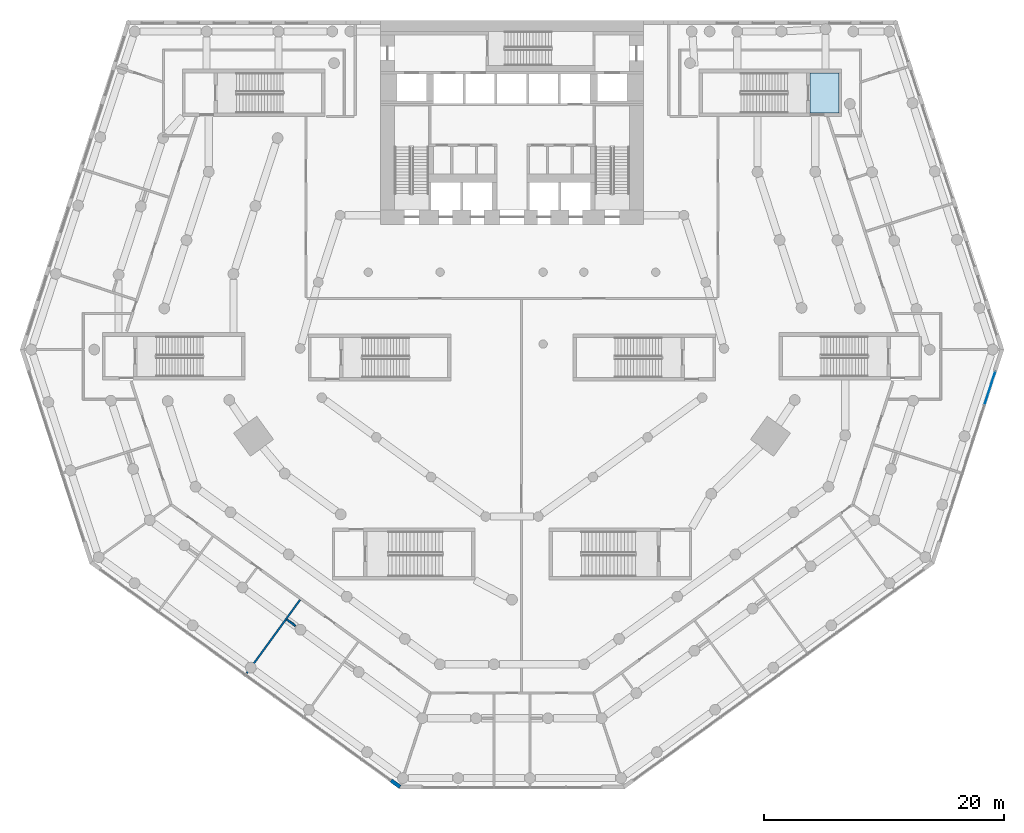
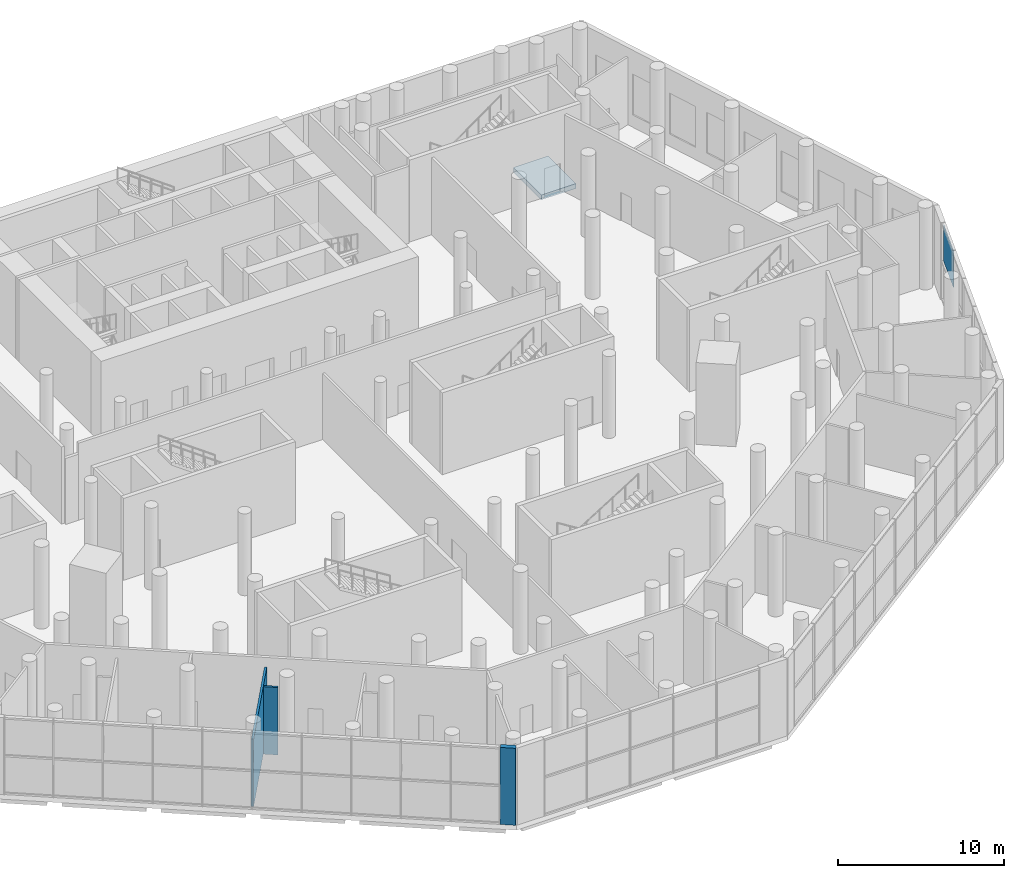
# One storey, part 11 of 23: 3 walls, 1 plate, 1 slab, 1 element without a shape of its own.
"""IFC4 building model written with IfcOpenShell, lengths in metres."""

from ifc_helpers import new_model, si_unit, direction, frame, frame_2d, origin, origin_2d, place, context, subcontext, project, spatial, polyline, rectangle, outline, extrude, material, layer, layer_set, type_object, element, aggregate, save


model = new_model("IFC4")

# Units and contexts
model_context = context("Model", 3, precision=1e-05, world=origin(), true_north=direction((0.0, 1.0)))
body_context = subcontext(model_context, "Body", "Model", "MODEL_VIEW")
ifc_project = project(units=[si_unit("LENGTHUNIT", "METRE"), si_unit("AREAUNIT", "SQUARE_METRE"), si_unit("VOLUMEUNIT", "CUBIC_METRE"), si_unit("PLANEANGLEUNIT", "RADIAN"), si_unit("MASSUNIT", "GRAM", prefix="KILO")], contexts=[model_context])

# Site, building, storey
site_placement = place(None, origin())
site = spatial("IfcSite", under=ifc_project, at=site_placement, CompositionType="ELEMENT")
building_placement = place(site_placement, origin())
building = spatial("IfcBuilding", under=site, at=building_placement, Name="White Candle Pilgrim Tower", CompositionType="ELEMENT")
storey_placement = place(building_placement, frame((0.0, 0.0, 9.0)))
storey = spatial("IfcBuildingStorey", under=building, at=storey_placement, Name="L01", CompositionType="ELEMENT", Elevation=9.0)

# Curtain wall, plate
ifc_material_1 = material(Name="Aluminium and glass", Category="aluminium")
curtain_wall_type = type_object("IfcCurtainWallType", Name="Curtain wall CW1 hall glazing", PredefinedType="NOTDEFINED", material=ifc_material_1)
curtain_wall_placement = place(storey_placement, origin())
curtain_wall = element("IfcCurtainWall", 1, at=curtain_wall_placement, inside=storey, type_object=curtain_wall_type, Name="Curtain wall CW1 L01 E chamfer", PredefinedType="NOTDEFINED")
ifc_material_2 = material(Name="Glass, triple glazed", Category="glass")
ifc_layer_1 = layer(ifc_material_2, 0.0400390625)
ifc_layer_set_1 = layer_set([ifc_layer_1], Name="CW1 glazing panel 40")
plate_type = type_object("IfcPlateType", Name="CW1 glazing panel 40", PredefinedType="CURTAIN_PANEL", material=ifc_layer_set_1)
plate_placement = place(storey_placement, frame((109.905029296875, 57.3271484375, 2.885009765625), z_axis=(0.0, 0.0, 1.0), x_axis=(0.309016994342, 0.951056516306, 0.0)))
plate = element("IfcPlate", 2, at=plate_placement, type_object=plate_type, Name="CW1 panel 5.2", PredefinedType="CURTAIN_PANEL", context=body_context, shape_type="SweptSolid", body=[
    extrude(rectangle(XDim=2.909912109375, YDim=0.0400390625, at=origin_2d()), origin(), (0.0, 0.0, 1.0), 2.64501953125),
])
aggregate(curtain_wall, [plate])

# Slab
ifc_material_3 = material(Name="Concrete C40/50", Category="concrete")
ifc_layer_2 = layer(ifc_material_3, 0.35009765625)
ifc_layer_set_2 = layer_set([ifc_layer_2], Name="Core floor slab 350 mm Concrete C40/50")
slab_type = type_object("IfcSlabType", Name="Core floor slab 350 mm Concrete C40/50", PredefinedType="FLOOR", material=ifc_layer_set_2)
slab_placement = place(storey_placement, frame((0.0, 0.0, -0.35009765625)))
element("IfcSlab", 3, at=slab_placement, inside=storey, type_object=slab_type, Name="CF-L01-22", PredefinedType="FLOOR", context=body_context, shape_type="SweptSolid", body=[
    extrude(outline(polyline([(97.300048828125, 83.64990234375), (97.300048828125, 80.300048828125), (94.89990234375, 80.300048828125), (94.89990234375, 83.64990234375), (97.300048828125, 83.64990234375)])), origin(), (0.0, 0.0, 1.0), 0.35009765625),
])

# Walls
ifc_material_4 = material(Name="Precast concrete C40/50", Category="concrete")
ifc_layer_3 = layer(ifc_material_4, 0.320068359375)
ifc_layer_set_3 = layer_set([ifc_layer_3], Name="Facade wall EW3 precast concrete C40/50 and stone-faced podium wall")
wall_type_1 = type_object("IfcWallType", Name="Facade wall EW3 precast concrete C40/50 and stone-faced podium wall", PredefinedType="SOLIDWALL", material=ifc_layer_set_3)
wall_1_placement = place(storey_placement, frame((59.8935546875, 24.570068359375, 0.0), z_axis=(0.0, 0.0, 1.0), x_axis=(0.808883028491, -0.58796959634, 0.0)))
element("IfcWall", 4, at=wall_1_placement, inside=storey, type_object=wall_type_1, Name="Facade wall L01 SW", PredefinedType="SOLIDWALL", context=body_context, shape_type="SweptSolid", body=[
    extrude(rectangle(XDim=0.933837890625, YDim=0.320068359375, at=frame_2d((0.466796875, 0.0))), origin(), (0.0, 0.0, 1.0), 5.64990234375),
])
ifc_material_5 = material(Name="Gypsum board on steel studs", Category="steel")
ifc_layer_4 = layer(ifc_material_5, 0.14990234375)
ifc_layer_set_4 = layer_set([ifc_layer_4], Name="Partition 150 mm EI 60")
wall_type_2 = type_object("IfcWallType", Name="Partition 150 mm EI 60", PredefinedType="PARTITIONING", material=ifc_layer_set_4)
wall_2_placement = place(storey_placement, frame((47.852294921875, 33.51611328125, 0.0), z_axis=(0.0, 0.0, 1.0), x_axis=(0.587763712947, 0.809032643187, 0.0)))
element("IfcWall", 5, at=wall_2_placement, inside=storey, type_object=wall_type_2, Name="WL-L01-P023", PredefinedType="PARTITIONING", context=body_context, shape_type="SweptSolid", body=[
    extrude(rectangle(XDim=7.580078125, YDim=0.14990234375, at=frame_2d((3.7900390625, 0.0))), origin(), (0.0, 0.0, 1.0), 4.949951171875),
])
wall_3_placement = place(storey_placement, frame((51.916015625, 37.4755859375, 0.0), z_axis=(0.0, 0.0, 1.0), x_axis=(-0.809105603792, 0.587663272557, 0.0)))
element("IfcWall", 6, at=wall_3_placement, inside=storey, type_object=wall_type_2, Name="WL-L01-P040", PredefinedType="PARTITIONING", context=body_context, shape_type="SweptSolid", body=[
    extrude(rectangle(XDim=0.88525390625, YDim=0.14990234375, at=frame_2d((0.442626953125, 0.0))), origin(), (0.0, 0.0, 1.0), 4.949951171875),
])

save(model, "model.ifc")
